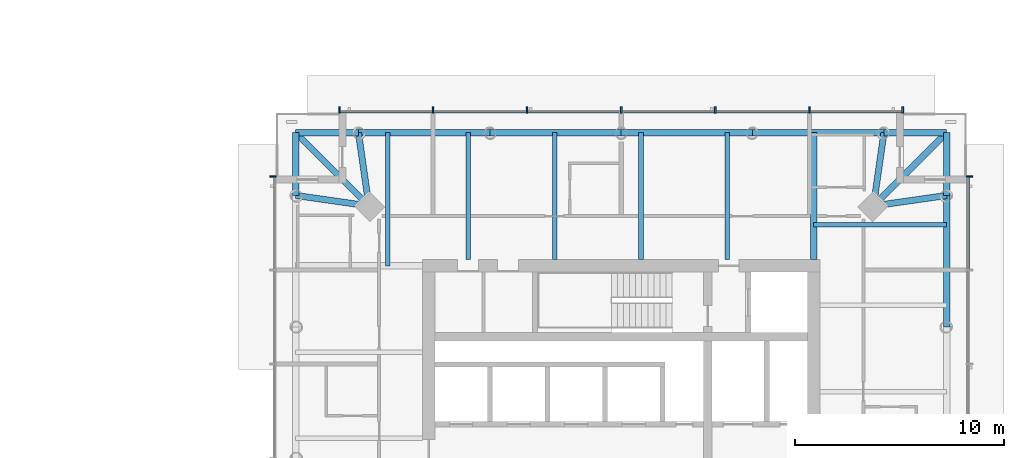
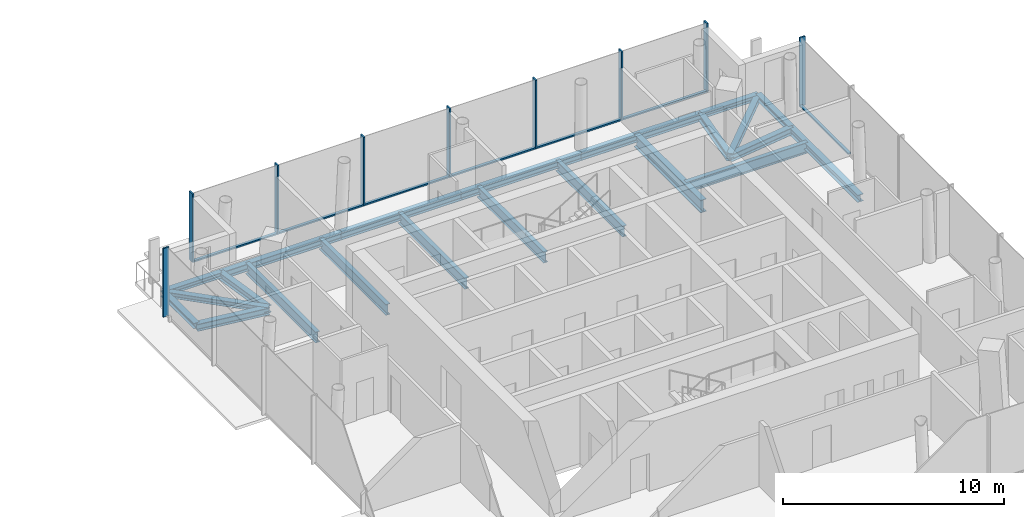
# One storey, part 5 of 20: 22 beams, 16 members, 3 elements without a shape of their own.
"""IFC4 building model written with IfcOpenShell, lengths in metres."""

from ifc_helpers import new_model, si_unit, direction, frame, origin, origin_2d, place, context, subcontext, project, spatial, rectangle, i_section, extrude, material, material_profile, profile_set, type_object, element, aggregate, save


model = new_model("IFC4")

# Units and contexts
model_context = context("Model", 3, precision=1e-05, world=origin(), true_north=direction((0.0, 1.0)))
body_context = subcontext(model_context, "Body", "Model", "MODEL_VIEW")
ifc_project = project(units=[si_unit("LENGTHUNIT", "METRE"), si_unit("AREAUNIT", "SQUARE_METRE"), si_unit("VOLUMEUNIT", "CUBIC_METRE"), si_unit("PLANEANGLEUNIT", "RADIAN"), si_unit("MASSUNIT", "GRAM", prefix="KILO")], contexts=[model_context])

# Site, building, storey
site_placement = place(None, origin())
site = spatial("IfcSite", under=ifc_project, at=site_placement, CompositionType="ELEMENT")
building_placement = place(site_placement, origin())
building = spatial("IfcBuilding", under=site, at=building_placement, Name="Ostroluk Exchange", CompositionType="ELEMENT")
storey_placement = place(building_placement, frame((0.0, 0.0, 100.800048828125)))
storey = spatial("IfcBuildingStorey", under=building, at=storey_placement, Name="L25", CompositionType="ELEMENT", Elevation=100.800048828125)

# Beams
ifc_material_1 = material(Name="Steel S355", Category="steel")
ifc_material_profile_1 = material_profile(ifc_material_1, i_section(OverallWidth=0.300048828125, OverallDepth=0.300048828125, WebThickness=0.010986328125, FlangeThickness=0.01904296875, FilletRadius=0.027099609375, at=origin_2d()), Name="HEB 300")
ifc_profile_set_1 = profile_set([ifc_material_profile_1], Name="Steel S355")
beam_type_1 = type_object("IfcBeamType", Name="Balcony beam HEB 300", PredefinedType="BEAM", material=ifc_profile_set_1)
for number, where, z_axis, x_axis, name in (
    (1, (132.560302734375, 58.560302734375, -0.35009765625), (0.0, 1.0, 0.0), (-1.0, 0.0, 0.0), "T2 east balcony beam a"),
    (2, (129.560302734375, 61.560302734375, -0.35009765625), (1.0, 0.0, 0.0), (0.0, 1.0, 0.0), "T2 east balcony beam b"),
):
    element("IfcBeam", number, at=place(storey_placement, frame(where, z_axis=z_axis, x_axis=x_axis)), inside=storey, type_object=beam_type_1, Name=name, PredefinedType="BEAM", context=body_context, shape_type="SweptSolid", body=[
        extrude(i_section(OverallWidth=0.300048828125, OverallDepth=0.300048828125, WebThickness=0.010986328125, FlangeThickness=0.01904296875, FilletRadius=0.027099609375, at=origin_2d()), origin(), (0.0, 0.0, 1.0), 3.0),
    ])
beam_1_placement = place(storey_placement, frame((129.060302734375, 58.060302734375, -0.35009765625), z_axis=(0.707106781187, 0.707106781187, 0.0), x_axis=(-0.707106781187, 0.707106781187, 0.0)))
element("IfcBeam", 3, at=beam_1_placement, inside=storey, type_object=beam_type_1, Name="T2 east balcony beam c", PredefinedType="BEAM", context=body_context, shape_type="SweptSolid", body=[
    extrude(i_section(OverallWidth=0.300048828125, OverallDepth=0.300048828125, WebThickness=0.010986328125, FlangeThickness=0.01904296875, FilletRadius=0.027099609375, at=origin_2d()), origin(), (0.0, 0.0, 1.0), 4.94970703125),
])
for number, where, z_axis, x_axis, name in (
    (4, (104.439697265625, 61.560302734375, -0.35009765625), (-1.0, 0.0, 0.0), (0.0, -1.0, 0.0), "T2 north balcony beam a"),
    (5, (101.439697265625, 58.560302734375, -0.35009765625), (0.0, 1.0, 0.0), (-1.0, 0.0, 0.0), "T2 north balcony beam b"),
):
    element("IfcBeam", number, at=place(storey_placement, frame(where, z_axis=z_axis, x_axis=x_axis)), inside=storey, type_object=beam_type_1, Name=name, PredefinedType="BEAM", context=body_context, shape_type="SweptSolid", body=[
        extrude(i_section(OverallWidth=0.300048828125, OverallDepth=0.300048828125, WebThickness=0.010986328125, FlangeThickness=0.01904296875, FilletRadius=0.027099609375, at=origin_2d()), origin(), (0.0, 0.0, 1.0), 3.0),
    ])
beam_2_placement = place(storey_placement, frame((104.939697265625, 58.060302734375, -0.35009765625), z_axis=(-0.707106781187, 0.707106781187, 0.0), x_axis=(-0.707106781187, -0.707106781187, 0.0)))
element("IfcBeam", 6, at=beam_2_placement, inside=storey, type_object=beam_type_1, Name="T2 north balcony beam c", PredefinedType="BEAM", context=body_context, shape_type="SweptSolid", body=[
    extrude(i_section(OverallWidth=0.300048828125, OverallDepth=0.300048828125, WebThickness=0.010986328125, FlangeThickness=0.01904296875, FilletRadius=0.027099609375, at=origin_2d()), origin(), (0.0, 0.0, 1.0), 4.94970703125),
])
ifc_material_2 = material(Name="Steel S355", Category="steel")
ifc_material_profile_2 = material_profile(ifc_material_2, i_section(OverallWidth=0.300048828125, OverallDepth=0.39990234375, WebThickness=0.013427734375, FlangeThickness=0.02392578125, FilletRadius=0.027099609375, at=origin_2d()), Name="HEB 400")
ifc_profile_set_2 = profile_set([ifc_material_profile_2], Name="Steel S355")
beam_type_2 = type_object("IfcBeamType", Name="Corner edge beam HEB 400", PredefinedType="SPANDREL", material=ifc_profile_set_2)
for number, where, z_axis, x_axis, name in (
    (7, (129.060302734375, 58.060302734375, -0.400146484375), (0.989949493661, 0.141421356237, 0.0), (-0.141421356237, 0.989949493661, 0.0), "T2 east corner edge beam a"),
    (8, (129.060302734375, 58.060302734375, -0.400146484375), (0.141421356237, 0.989949493661, 0.0), (-0.989949493661, 0.141421356237, 0.0), "T2 east corner edge beam b"),
    (9, (104.939697265625, 58.060302734375, -0.400146484375), (-0.141421356237, 0.989949493661, 0.0), (-0.989949493661, -0.141421356237, 0.0), "T2 north corner edge beam a"),
    (10, (104.939697265625, 58.060302734375, -0.400146484375), (-0.989949493661, 0.141421356237, 0.0), (-0.141421356237, -0.989949493661, 0.0), "T2 north corner edge beam b"),
):
    element("IfcBeam", number, at=place(storey_placement, frame(where, z_axis=z_axis, x_axis=x_axis)), inside=storey, type_object=beam_type_2, Name=name, PredefinedType="SPANDREL", context=body_context, shape_type="SweptSolid", body=[
        extrude(i_section(OverallWidth=0.300048828125, OverallDepth=0.39990234375, WebThickness=0.013427734375, FlangeThickness=0.02392578125, FilletRadius=0.027099609375, at=origin_2d()), origin(), (0.0, 0.0, 1.0), 3.53564453125),
    ])
ifc_material_3 = material(Name="Steel S355", Category="steel")
ifc_material_profile_3 = material_profile(ifc_material_3, i_section(OverallWidth=0.219970703125, OverallDepth=0.60009765625, WebThickness=0.011962890625, FlangeThickness=0.01904296875, FilletRadius=0.02392578125, at=origin_2d()), Name="IPE 600")
ifc_profile_set_3 = profile_set([ifc_material_profile_3], Name="Steel S355")
beam_type_3 = type_object("IfcBeamType", Name="Floor beam IPE 600", PredefinedType="BEAM", material=ifc_profile_set_3)
beam_3_placement = place(storey_placement, frame((126.199951171875, 57.160400390625, -0.5), z_axis=(1.0, 0.0, 0.0), x_axis=(0.0, 1.0, 0.0)))
element("IfcBeam", 11, at=beam_3_placement, inside=storey, type_object=beam_type_3, Name="T2 east floor beam 5", PredefinedType="BEAM", context=body_context, shape_type="SweptSolid", body=[
    extrude(i_section(OverallWidth=0.219970703125, OverallDepth=0.60009765625, WebThickness=0.011962890625, FlangeThickness=0.01904296875, FilletRadius=0.02392578125, at=origin_2d()), origin(), (0.0, 0.0, 1.0), 6.3603515625),
])
for number, where, z_axis, x_axis, name in (
    (12, (122.0732421875, 55.5, -0.5), (0.0, 1.0, 0.0), (-1.0, 0.0, 0.0), "T2 north floor beam 1"),
    (13, (117.946533203125, 55.5, -0.5), (0.0, 1.0, 0.0), (-1.0, 0.0, 0.0), "T2 north floor beam 2"),
    (14, (113.81982421875, 55.5, -0.5), (0.0, 1.0, 0.0), (-1.0, 0.0, 0.0), "T2 north floor beam 3"),
    (15, (109.693115234375, 55.5, -0.5), (0.0, 1.0, 0.0), (-1.0, 0.0, 0.0), "T2 north floor beam 4"),
):
    element("IfcBeam", number, at=place(storey_placement, frame(where, z_axis=z_axis, x_axis=x_axis)), inside=storey, type_object=beam_type_3, Name=name, PredefinedType="BEAM", context=body_context, shape_type="SweptSolid", body=[
        extrude(i_section(OverallWidth=0.219970703125, OverallDepth=0.60009765625, WebThickness=0.011962890625, FlangeThickness=0.01904296875, FilletRadius=0.02392578125, at=origin_2d()), origin(), (0.0, 0.0, 1.0), 6.060302734375),
    ])
beam_4_placement = place(storey_placement, frame((105.839599609375, 55.199951171875, -0.5), z_axis=(0.0, 1.0, 0.0), x_axis=(-1.0, 0.0, 0.0)))
element("IfcBeam", 16, at=beam_4_placement, inside=storey, type_object=beam_type_3, Name="T2 north floor beam 5", PredefinedType="BEAM", context=body_context, shape_type="SweptSolid", body=[
    extrude(i_section(OverallWidth=0.219970703125, OverallDepth=0.60009765625, WebThickness=0.011962890625, FlangeThickness=0.01904296875, FilletRadius=0.02392578125, at=origin_2d()), origin(), (0.0, 0.0, 1.0), 6.3603515625),
])
ifc_material_4 = material(Name="Steel S355", Category="steel")
ifc_material_profile_4 = material_profile(ifc_material_4, i_section(OverallWidth=0.300048828125, OverallDepth=0.699951171875, WebThickness=0.01708984375, FlangeThickness=0.031982421875, FilletRadius=0.027099609375, at=origin_2d()), Name="HEB 700")
ifc_profile_set_4 = profile_set([ifc_material_profile_4], Name="Steel S355")
beam_type_4 = type_object("IfcBeamType", Name="Girder HEB 700", PredefinedType="BEAM", material=ifc_profile_set_4)
beam_5_placement = place(storey_placement, frame((126.199951171875, 55.5, -0.550048828125), z_axis=(0.0, 1.0, 0.0), x_axis=(-1.0, 0.0, 0.0)))
element("IfcBeam", 17, at=beam_5_placement, inside=storey, type_object=beam_type_4, Name="T2 east girder", PredefinedType="BEAM", context=body_context, shape_type="SweptSolid", body=[
    extrude(i_section(OverallWidth=0.300048828125, OverallDepth=0.699951171875, WebThickness=0.01708984375, FlangeThickness=0.031982421875, FilletRadius=0.027099609375, at=origin_2d()), origin(), (0.0, 0.0, 1.0), 6.060302734375),
])
ifc_material_5 = material(Name="Steel S355", Category="steel")
ifc_material_profile_5 = material_profile(ifc_material_5, i_section(OverallWidth=0.300048828125, OverallDepth=0.39990234375, WebThickness=0.013427734375, FlangeThickness=0.02392578125, FilletRadius=0.027099609375, at=origin_2d()), Name="HEB 400")
ifc_profile_set_5 = profile_set([ifc_material_profile_5], Name="Steel S355")
beam_type_5 = type_object("IfcBeamType", Name="Moment-connected edge beam HEB 400", PredefinedType="SPANDREL", material=ifc_profile_set_5)
for number, where, z_axis, x_axis, name in (
    (18, (132.560302734375, 52.2802734375, -0.400146484375), (0.0, 1.0, 0.0), (-1.0, 0.0, 0.0), "T2 east edge beam 4"),
    (19, (129.560302734375, 61.560302734375, -0.400146484375), (-1.0, 0.0, 0.0), (0.0, -1.0, 0.0), "T2 north edge beam 1"),
):
    element("IfcBeam", number, at=place(storey_placement, frame(where, z_axis=z_axis, x_axis=x_axis)), inside=storey, type_object=beam_type_5, Name=name, PredefinedType="SPANDREL", context=body_context, shape_type="SweptSolid", body=[
        extrude(i_section(OverallWidth=0.300048828125, OverallDepth=0.39990234375, WebThickness=0.013427734375, FlangeThickness=0.02392578125, FilletRadius=0.027099609375, at=origin_2d()), origin(), (0.0, 0.0, 1.0), 6.280029296875),
    ])
for number, where, z_axis, x_axis, name in (
    (20, (123.2802734375, 61.560302734375, -0.400146484375), (-1.0, 0.0, 0.0), (0.0, -1.0, 0.0), "T2 north edge beam 2"),
    (21, (117.0, 61.560302734375, -0.400146484375), (-1.0, 0.0, 0.0), (0.0, -1.0, 0.0), "T2 north edge beam 3"),
):
    element("IfcBeam", number, at=place(storey_placement, frame(where, z_axis=z_axis, x_axis=x_axis)), inside=storey, type_object=beam_type_5, Name=name, PredefinedType="SPANDREL", context=body_context, shape_type="SweptSolid", body=[
        extrude(i_section(OverallWidth=0.300048828125, OverallDepth=0.39990234375, WebThickness=0.013427734375, FlangeThickness=0.02392578125, FilletRadius=0.027099609375, at=origin_2d()), origin(), (0.0, 0.0, 1.0), 6.2802734375),
    ])
beam_6_placement = place(storey_placement, frame((110.7197265625, 61.560302734375, -0.400146484375), z_axis=(-1.0, 0.0, 0.0), x_axis=(0.0, -1.0, 0.0)))
element("IfcBeam", 22, at=beam_6_placement, inside=storey, type_object=beam_type_5, Name="T2 north edge beam 4", PredefinedType="SPANDREL", context=body_context, shape_type="SweptSolid", body=[
    extrude(i_section(OverallWidth=0.300048828125, OverallDepth=0.39990234375, WebThickness=0.013427734375, FlangeThickness=0.02392578125, FilletRadius=0.027099609375, at=origin_2d()), origin(), (0.0, 0.0, 1.0), 6.280029296875),
])

# Curtain wall, member
ifc_material_6 = material(Name="Laminated clear glass", Category="glass")
curtain_wall_type = type_object("IfcCurtainWallType", Name="Hotel guest floor facade", PredefinedType="USERDEFINED", material=ifc_material_6)
curtain_wall_1_placement = place(storey_placement, origin())
curtain_wall_1 = element("IfcCurtainWall", 23, at=curtain_wall_1_placement, inside=storey, type_object=curtain_wall_type, Name="Hotel tower east facade L25", ObjectType="UNITISED CURTAIN WALL", PredefinedType="USERDEFINED")
ifc_material_7 = material(Name="Aluminium mullion", Category="aluminium")
ifc_material_profile_6 = material_profile(ifc_material_7, rectangle(XDim=0.14990234375, YDim=0.080078125, at=origin_2d()), Name="Sill transom 80 x 150")
ifc_profile_set_6 = profile_set([ifc_material_profile_6], Name="Aluminium mullion")
member_type_1 = type_object("IfcMemberType", Name="Sill transom 80 x 150", PredefinedType="USERDEFINED", material=ifc_profile_set_6)
member_1_placement = place(storey_placement, frame((133.574951171875, 55.0400390625, 0.0400390625), z_axis=(0.0, 1.0, 0.0), x_axis=(-1.0, 0.0, 0.0)))
member_1 = element("IfcMember", 24, at=member_1_placement, type_object=member_type_1, Name="CW-H1 transom 6.1", ObjectType="TRANSOM", PredefinedType="USERDEFINED", context=body_context, shape_type="SweptSolid", body=[
    extrude(rectangle(XDim=0.14990234375, YDim=0.080078125, at=origin_2d()), origin(), (0.0, 0.0, 1.0), 4.3798828125),
])

# Curtain wall, members
curtain_wall_2_placement = place(storey_placement, origin())
curtain_wall_2 = element("IfcCurtainWall", 25, at=curtain_wall_2_placement, inside=storey, type_object=curtain_wall_type, Name="Hotel tower north facade L25", ObjectType="UNITISED CURTAIN WALL", PredefinedType="USERDEFINED")
member_2_placement = place(storey_placement, frame((130.419921875, 62.574951171875, 0.0400390625), z_axis=(-1.0, 0.0, 0.0), x_axis=(0.0, -1.0, 0.0)))
member_2 = element("IfcMember", 26, at=member_2_placement, type_object=member_type_1, Name="CW-H1 transom 1.1", ObjectType="TRANSOM", PredefinedType="USERDEFINED", context=body_context, shape_type="SweptSolid", body=[
    extrude(rectangle(XDim=0.14990234375, YDim=0.080078125, at=origin_2d()), origin(), (0.0, 0.0, 1.0), 4.3798828125),
])
member_3_placement = place(storey_placement, frame((125.9599609375, 62.574951171875, 0.0400390625), z_axis=(-1.0, 0.0, 0.0), x_axis=(0.0, -1.0, 0.0)))
member_3 = element("IfcMember", 27, at=member_3_placement, type_object=member_type_1, Name="CW-H1 transom 2.1", ObjectType="TRANSOM", PredefinedType="USERDEFINED", context=body_context, shape_type="SweptSolid", body=[
    extrude(rectangle(XDim=0.14990234375, YDim=0.080078125, at=origin_2d()), origin(), (0.0, 0.0, 1.0), 4.419921875),
])
member_4_placement = place(storey_placement, frame((121.4599609375, 62.574951171875, 0.0400390625), z_axis=(-1.0, 0.0, 0.0), x_axis=(0.0, -1.0, 0.0)))
member_4 = element("IfcMember", 28, at=member_4_placement, type_object=member_type_1, Name="CW-H1 transom 3.1", ObjectType="TRANSOM", PredefinedType="USERDEFINED", context=body_context, shape_type="SweptSolid", body=[
    extrude(rectangle(XDim=0.14990234375, YDim=0.080078125, at=origin_2d()), origin(), (0.0, 0.0, 1.0), 4.419921875),
])
member_5_placement = place(storey_placement, frame((116.9599609375, 62.574951171875, 0.0400390625), z_axis=(-1.0, 0.0, 0.0), x_axis=(0.0, -1.0, 0.0)))
member_5 = element("IfcMember", 29, at=member_5_placement, type_object=member_type_1, Name="CW-H1 transom 4.1", ObjectType="TRANSOM", PredefinedType="USERDEFINED", context=body_context, shape_type="SweptSolid", body=[
    extrude(rectangle(XDim=0.14990234375, YDim=0.080078125, at=origin_2d()), origin(), (0.0, 0.0, 1.0), 4.419921875),
])
member_6_placement = place(storey_placement, frame((112.4599609375, 62.574951171875, 0.0400390625), z_axis=(-1.0, 0.0, 0.0), x_axis=(0.0, -1.0, 0.0)))
member_6 = element("IfcMember", 30, at=member_6_placement, type_object=member_type_1, Name="CW-H1 transom 5.1", ObjectType="TRANSOM", PredefinedType="USERDEFINED", context=body_context, shape_type="SweptSolid", body=[
    extrude(rectangle(XDim=0.14990234375, YDim=0.080078125, at=origin_2d()), origin(), (0.0, 0.0, 1.0), 4.419921875),
])
member_7_placement = place(storey_placement, frame((107.9599609375, 62.574951171875, 0.0400390625), z_axis=(-1.0, 0.0, 0.0), x_axis=(0.0, -1.0, 0.0)))
member_7 = element("IfcMember", 31, at=member_7_placement, type_object=member_type_1, Name="CW-H1 transom 6.1", ObjectType="TRANSOM", PredefinedType="USERDEFINED", context=body_context, shape_type="SweptSolid", body=[
    extrude(rectangle(XDim=0.14990234375, YDim=0.080078125, at=origin_2d()), origin(), (0.0, 0.0, 1.0), 4.3798828125),
])

# Member
ifc_material_8 = material(Name="Aluminium mullion with limestone facing", Category="masonry")
ifc_material_profile_7 = material_profile(ifc_material_8, rectangle(XDim=0.300048828125, YDim=0.080078125, at=origin_2d()), Name="Tracery mullion 80 x 300")
ifc_profile_set_7 = profile_set([ifc_material_profile_7], Name="Aluminium mullion with limestone facing")
member_type_2 = type_object("IfcMemberType", Name="Tracery mullion 80 x 300", PredefinedType="MULLION", material=ifc_profile_set_7)
member_8_placement = place(storey_placement, frame((133.64990234375, 59.4599609375, 0.0), z_axis=(0.0, 0.0, 1.0), x_axis=(-1.0, 0.0, 0.0)))
member_8 = element("IfcMember", 32, at=member_8_placement, type_object=member_type_2, Name="CW-H1 mullion 7", PredefinedType="MULLION", context=body_context, shape_type="SweptSolid", body=[
    extrude(rectangle(XDim=0.300048828125, YDim=0.080078125, at=origin_2d()), origin(), (0.0, 0.0, 1.0), 3.800048828125),
])

aggregate(curtain_wall_1, [member_8, member_1])

member_9_placement = place(storey_placement, frame((130.4599609375, 62.64990234375, 0.0), z_axis=(0.0, 0.0, 1.0), x_axis=(0.0, -1.0, 0.0)))
member_9 = element("IfcMember", 33, at=member_9_placement, type_object=member_type_2, Name="CW-H1 mullion 1", PredefinedType="MULLION", context=body_context, shape_type="SweptSolid", body=[
    extrude(rectangle(XDim=0.300048828125, YDim=0.080078125, at=origin_2d()), origin(), (0.0, 0.0, 1.0), 3.800048828125),
])

member_10_placement = place(storey_placement, frame((126.0, 62.64990234375, 0.0), z_axis=(0.0, 0.0, 1.0), x_axis=(0.0, -1.0, 0.0)))
member_10 = element("IfcMember", 34, at=member_10_placement, type_object=member_type_2, Name="CW-H1 mullion 2", PredefinedType="MULLION", context=body_context, shape_type="SweptSolid", body=[
    extrude(rectangle(XDim=0.300048828125, YDim=0.080078125, at=origin_2d()), origin(), (0.0, 0.0, 1.0), 3.800048828125),
])

member_11_placement = place(storey_placement, frame((121.5, 62.64990234375, 0.0), z_axis=(0.0, 0.0, 1.0), x_axis=(0.0, -1.0, 0.0)))
member_11 = element("IfcMember", 35, at=member_11_placement, type_object=member_type_2, Name="CW-H1 mullion 3", PredefinedType="MULLION", context=body_context, shape_type="SweptSolid", body=[
    extrude(rectangle(XDim=0.300048828125, YDim=0.080078125, at=origin_2d()), origin(), (0.0, 0.0, 1.0), 3.800048828125),
])

member_12_placement = place(storey_placement, frame((117.0, 62.64990234375, 0.0), z_axis=(0.0, 0.0, 1.0), x_axis=(0.0, -1.0, 0.0)))
member_12 = element("IfcMember", 36, at=member_12_placement, type_object=member_type_2, Name="CW-H1 mullion 4", PredefinedType="MULLION", context=body_context, shape_type="SweptSolid", body=[
    extrude(rectangle(XDim=0.300048828125, YDim=0.080078125, at=origin_2d()), origin(), (0.0, 0.0, 1.0), 3.800048828125),
])

member_13_placement = place(storey_placement, frame((112.5, 62.64990234375, 0.0), z_axis=(0.0, 0.0, 1.0), x_axis=(0.0, -1.0, 0.0)))
member_13 = element("IfcMember", 37, at=member_13_placement, type_object=member_type_2, Name="CW-H1 mullion 5", PredefinedType="MULLION", context=body_context, shape_type="SweptSolid", body=[
    extrude(rectangle(XDim=0.300048828125, YDim=0.080078125, at=origin_2d()), origin(), (0.0, 0.0, 1.0), 3.800048828125),
])

member_14_placement = place(storey_placement, frame((108.0, 62.64990234375, 0.0), z_axis=(0.0, 0.0, 1.0), x_axis=(0.0, -1.0, 0.0)))
member_14 = element("IfcMember", 38, at=member_14_placement, type_object=member_type_2, Name="CW-H1 mullion 6", PredefinedType="MULLION", context=body_context, shape_type="SweptSolid", body=[
    extrude(rectangle(XDim=0.300048828125, YDim=0.080078125, at=origin_2d()), origin(), (0.0, 0.0, 1.0), 3.800048828125),
])

member_15_placement = place(storey_placement, frame((103.5400390625, 62.64990234375, 0.0), z_axis=(0.0, 0.0, 1.0), x_axis=(0.0, -1.0, 0.0)))
member_15 = element("IfcMember", 39, at=member_15_placement, type_object=member_type_2, Name="CW-H1 mullion 7", PredefinedType="MULLION", context=body_context, shape_type="SweptSolid", body=[
    extrude(rectangle(XDim=0.300048828125, YDim=0.080078125, at=origin_2d()), origin(), (0.0, 0.0, 1.0), 3.800048828125),
])

aggregate(curtain_wall_2, [member_9, member_10, member_11, member_12, member_13, member_14, member_15, member_2, member_3, member_4, member_5, member_6, member_7])

# Curtain wall, member
curtain_wall_3_placement = place(storey_placement, origin())
curtain_wall_3 = element("IfcCurtainWall", 40, at=curtain_wall_3_placement, inside=storey, type_object=curtain_wall_type, Name="Hotel tower west facade L25", ObjectType="UNITISED CURTAIN WALL", PredefinedType="USERDEFINED")
member_16_placement = place(storey_placement, frame((100.35009765625, 59.4599609375, 0.0), z_axis=(0.0, 0.0, 1.0), x_axis=(1.0, 0.0, 0.0)))
member_16 = element("IfcMember", 41, at=member_16_placement, type_object=member_type_2, Name="CW-H1 mullion 1", PredefinedType="MULLION", context=body_context, shape_type="SweptSolid", body=[
    extrude(rectangle(XDim=0.300048828125, YDim=0.080078125, at=origin_2d()), origin(), (0.0, 0.0, 1.0), 3.800048828125),
])
aggregate(curtain_wall_3, [member_16])

save(model, "model.ifc")
